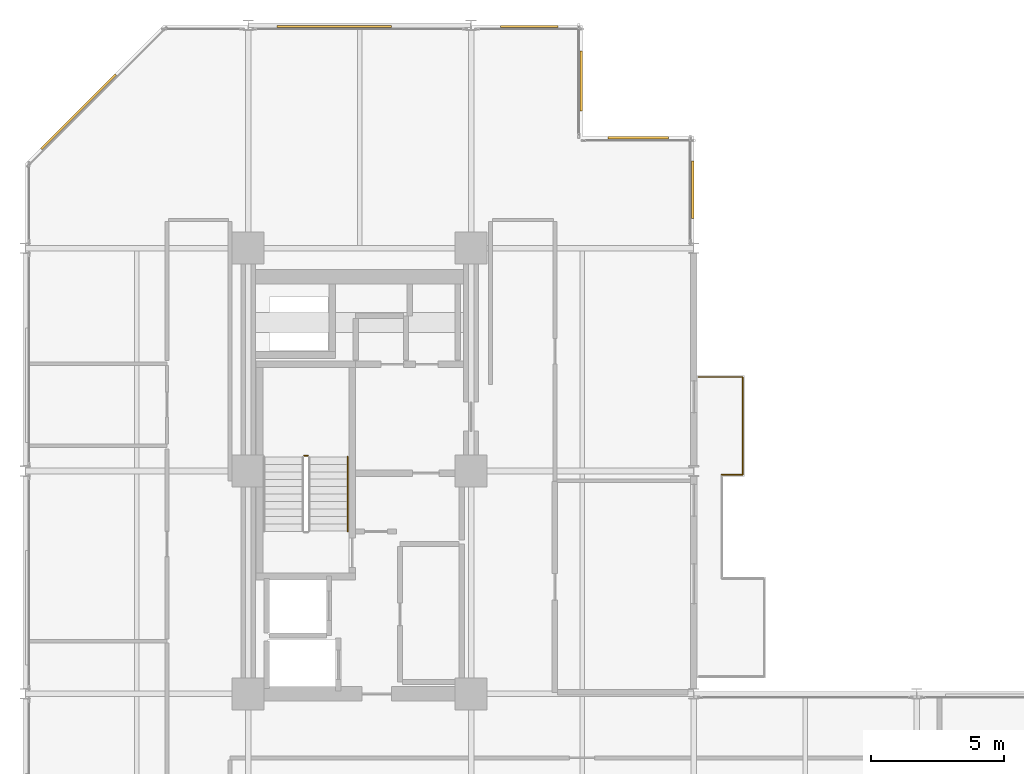
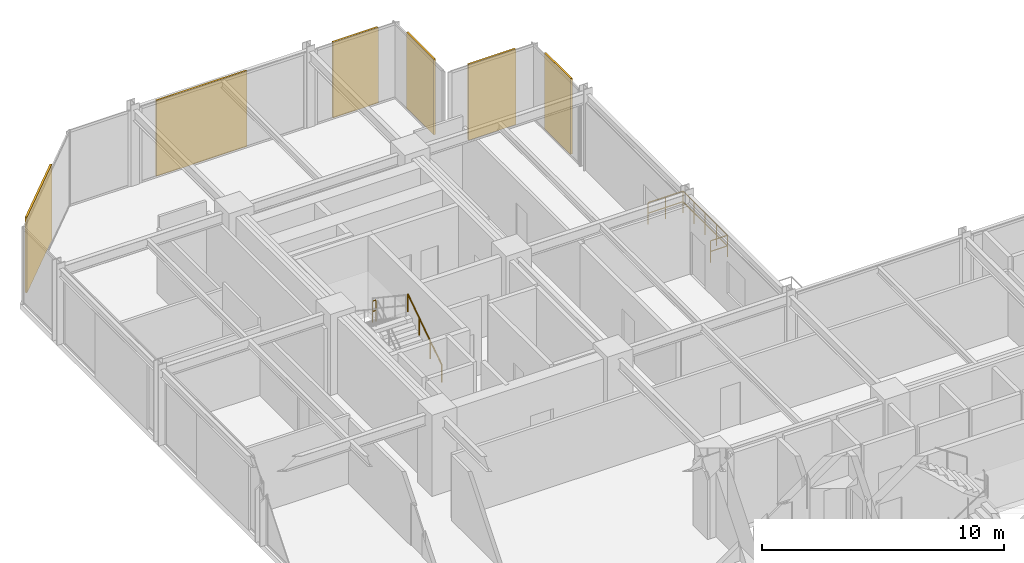
# One storey, part 29 of 29: 6 coverings, 5 railings.
"""IFC4 building model written with IfcOpenShell, lengths in metres."""

from ifc_helpers import new_model, si_unit, direction, frame, origin, origin_2d, place, context, subcontext, project, spatial, rectangle, circle, extrude, material, layer, layer_set, type_object, element, save


model = new_model("IFC4")

# Units and contexts
model_context = context("Model", 3, precision=1e-05, world=origin(), true_north=direction((0.0, 1.0)))
body_context = subcontext(model_context, "Body", "Model", "MODEL_VIEW")
ifc_project = project(units=[si_unit("LENGTHUNIT", "METRE"), si_unit("AREAUNIT", "SQUARE_METRE"), si_unit("VOLUMEUNIT", "CUBIC_METRE"), si_unit("PLANEANGLEUNIT", "RADIAN"), si_unit("MASSUNIT", "GRAM", prefix="KILO")], contexts=[model_context])

# Site, building, storey
site_placement = place(None, origin())
site = spatial("IfcSite", under=ifc_project, at=site_placement, CompositionType="ELEMENT")
building_placement = place(site_placement, origin())
building = spatial("IfcBuilding", under=site, at=building_placement, Name="Nerrivon Quay Data Exchange", CompositionType="ELEMENT")
storey_placement = place(building_placement, frame((0.0, 0.0, 137.699951171875)))
storey = spatial("IfcBuildingStorey", under=building, at=storey_placement, Name="L32", CompositionType="ELEMENT", Elevation=137.699951171875)

# Coverings
ifc_material_1 = material(Name="Architectural terracotta ceramic", Category="masonry")
ifc_layer = layer(ifc_material_1, 0.090087890625)
ifc_layer_set = layer_set([ifc_layer], Name="Architectural terracotta ceramic")
covering_type = type_object("IfcCoveringType", Name="COV-SCR-TERR", PredefinedType="CLADDING", material=ifc_layer_set)
covering_1_placement = place(storey_placement, frame((2.0078125, 47.144287109375, 0.0), z_axis=(0.0, 0.0, 1.0), x_axis=(0.707106781187, 0.707106781187, 0.0)))
element("IfcCovering", 1, at=covering_1_placement, inside=storey, type_object=covering_type, Name="L32 Perforated Terracotta SOLAR SCREEN Cassette", PredefinedType="CLADDING", context=body_context, shape_type="SweptSolid", body=[
    extrude(rectangle(XDim=3.970947265625, YDim=0.090087890625, at=origin_2d()), origin(), (0.0, 0.0, 1.0), 3.824951171875),
])
covering_2_placement = place(storey_placement, frame((11.639892578125, 50.35498046875, 0.0), z_axis=(0.0, 0.0, 1.0), x_axis=(1.0, 0.0, 0.0)))
element("IfcCovering", 2, at=covering_2_placement, inside=storey, type_object=covering_type, Name="L32 Perforated Terracotta SOLAR SCREEN Cassette", PredefinedType="CLADDING", context=body_context, shape_type="SweptSolid", body=[
    extrude(rectangle(XDim=4.320068359375, YDim=0.090087890625, at=origin_2d()), origin(), (0.0, 0.0, 1.0), 3.824951171875),
])
covering_3_placement = place(storey_placement, frame((19.0, 50.35498046875, 0.0), z_axis=(0.0, 0.0, 1.0), x_axis=(1.0, 0.0, 0.0)))
element("IfcCovering", 3, at=covering_3_placement, inside=storey, type_object=covering_type, Name="L32 Perforated Terracotta SOLAR SCREEN Cassette", PredefinedType="CLADDING", context=body_context, shape_type="SweptSolid", body=[
    extrude(rectangle(XDim=2.159912109375, YDim=0.090087890625, at=origin_2d()), origin(), (0.0, 0.0, 1.0), 3.824951171875),
])
for number, where, z_axis, x_axis, name in (
    (4, (20.955078125, 48.300048828125, 0.0), (0.0, 0.0, 1.0), (0.0, -1.0, 0.0), "L32 Perforated Terracotta SOLAR SCREEN Cassette"),
    (5, (23.10009765625, 46.155029296875, 0.0), (0.0, 0.0, 1.0), (1.0, 0.0, 0.0), "L32 Perforated Terracotta SOLAR SCREEN Cassette"),
):
    element("IfcCovering", number, at=place(storey_placement, frame(where, z_axis=z_axis, x_axis=x_axis)), inside=storey, type_object=covering_type, Name=name, PredefinedType="CLADDING", context=body_context, shape_type="SweptSolid", body=[
        extrude(rectangle(XDim=2.26806640625, YDim=0.090087890625, at=origin_2d()), origin(), (0.0, 0.0, 1.0), 3.824951171875),
    ])
covering_4_placement = place(storey_placement, frame((25.155029296875, 44.199951171875, 0.0), z_axis=(0.0, 0.0, 1.0), x_axis=(0.0, -1.0, 0.0)))
element("IfcCovering", 6, at=covering_4_placement, inside=storey, type_object=covering_type, Name="L32 Perforated Terracotta SOLAR SCREEN Cassette", PredefinedType="CLADDING", context=body_context, shape_type="SweptSolid", body=[
    extrude(rectangle(XDim=2.159912109375, YDim=0.090087890625, at=origin_2d()), origin(), (0.0, 0.0, 1.0), 3.824951171875),
])

# Railings
ifc_material_2 = material(Name="Steel Grade C350L0 (350 MPa)", Category="steel")
railing_type_1 = type_object("IfcRailingType", Name="RAIL-GUARD-GR2", PredefinedType="BALUSTRADE", material=ifc_material_2)
railing_1_placement = place(storey_placement, frame((25.3798828125, 37.139892578125, 0.0)))
element("IfcRailing", 7, at=railing_1_placement, inside=storey, type_object=railing_type_1, Name="L32 Verandah Balcony Guard 1.4 1", PredefinedType="BALUSTRADE", context=body_context, shape_type="SweptSolid", body=[
    extrude(circle(Radius=0.02392578125, at=origin_2d()), frame((0.0, 0.0, 1.09619140625), z_axis=(1.0, 0.0, 0.0), x_axis=(0.0, 1.0, 0.0)), (0.0, 0.0, 1.0), 1.66015625),
    extrude(circle(Radius=0.02392578125, at=origin_2d()), frame((0.0, 0.0, 0.56005859375), z_axis=(1.0, 0.0, 0.0), x_axis=(0.0, 1.0, 0.0)), (0.0, 0.0, 1.0), 1.66015625),
    extrude(circle(Radius=0.02099609375, at=origin_2d()), origin(), (0.0, 0.0, 1.0), 1.072021484375),
    extrude(circle(Radius=0.02099609375, at=origin_2d()), frame((0.830078125, 0.0, 0.0)), (0.0, 0.0, 1.0), 1.072021484375),
    extrude(circle(Radius=0.02099609375, at=origin_2d()), frame((1.66015625, 0.0, 0.0)), (0.0, 0.0, 1.0), 1.072021484375),
])
railing_2_placement = place(storey_placement, frame((27.0400390625, 37.139892578125, 0.0)))
element("IfcRailing", 8, at=railing_2_placement, inside=storey, type_object=railing_type_1, Name="L32 Verandah Balcony Guard 1.5 1", PredefinedType="BALUSTRADE", context=body_context, shape_type="SweptSolid", body=[
    extrude(circle(Radius=0.02392578125, at=origin_2d()), frame((0.0, 0.0, 1.09619140625), z_axis=(0.0, -1.0, 0.0), x_axis=(1.0, 0.0, 0.0)), (0.0, 0.0, 1.0), 3.679931640625),
    extrude(circle(Radius=0.02392578125, at=origin_2d()), frame((0.0, 0.0, 0.56005859375), z_axis=(0.0, -1.0, 0.0), x_axis=(1.0, 0.0, 0.0)), (0.0, 0.0, 1.0), 3.679931640625),
    extrude(circle(Radius=0.02099609375, at=origin_2d()), origin(), (0.0, 0.0, 1.0), 1.072021484375),
    extrude(circle(Radius=0.02099609375, at=origin_2d()), frame((0.0, -0.919921875, 0.0)), (0.0, 0.0, 1.0), 1.072021484375),
    extrude(circle(Radius=0.02099609375, at=origin_2d()), frame((0.0, -1.83984375, 0.0)), (0.0, 0.0, 1.0), 1.072021484375),
    extrude(circle(Radius=0.02099609375, at=origin_2d()), frame((0.0, -2.760009765625, 0.0)), (0.0, 0.0, 1.0), 1.072021484375),
    extrude(circle(Radius=0.02099609375, at=origin_2d()), frame((0.0, -3.679931640625, 0.0)), (0.0, 0.0, 1.0), 1.072021484375),
])
railing_3_placement = place(storey_placement, frame((27.0400390625, 33.4599609375, 0.0)))
element("IfcRailing", 9, at=railing_3_placement, inside=storey, type_object=railing_type_1, Name="L32 Verandah Balcony Guard 1.6 1", PredefinedType="BALUSTRADE", context=body_context, shape_type="SweptSolid", body=[
    extrude(circle(Radius=0.02392578125, at=origin_2d()), frame((0.0, 0.0, 1.09619140625), z_axis=(-1.0, 0.0, 0.0), x_axis=(0.0, -1.0, 0.0)), (0.0, 0.0, 1.0), 0.800048828125),
    extrude(circle(Radius=0.02392578125, at=origin_2d()), frame((0.0, 0.0, 0.56005859375), z_axis=(-1.0, 0.0, 0.0), x_axis=(0.0, -1.0, 0.0)), (0.0, 0.0, 1.0), 0.800048828125),
    extrude(circle(Radius=0.02099609375, at=origin_2d()), origin(), (0.0, 0.0, 1.0), 1.072021484375),
    extrude(circle(Radius=0.02099609375, at=origin_2d()), frame((-0.800048828125, 0.0, 0.0)), (0.0, 0.0, 1.0), 1.072021484375),
])
railing_type_2 = type_object("IfcRailingType", Name="RAIL-HAND-HR1", PredefinedType="HANDRAIL", material=ifc_material_2)
railing_4_placement = place(storey_placement, frame((12.14990234375, 31.330078125, 0.1865234375)))
element("IfcRailing", 10, at=railing_4_placement, inside=storey, type_object=railing_type_2, Name="L32 ST01 stair handrail 1", PredefinedType="HANDRAIL", context=body_context, shape_type="SweptSolid", body=[
    extrude(circle(Radius=0.02392578125, at=origin_2d()), frame((0.0, 0.0, 0.8759765625), z_axis=(0.0, 0.832463268671, 0.554080234545), x_axis=(-1.0, 0.0, 0.0)), (0.0, 0.0, 1.0), 3.36328125),
    extrude(circle(Radius=0.02099609375, at=origin_2d()), origin(), (0.0, 0.0, 1.0), 0.851806640625),
    extrude(circle(Radius=0.02099609375, at=origin_2d()), frame((0.0, 0.933349609375, 0.62109375)), (0.0, 0.0, 1.0), 0.851806640625),
    extrude(circle(Radius=0.02099609375, at=origin_2d()), frame((0.0, 1.866455078125, 1.242431640625)), (0.0, 0.0, 1.0), 0.851806640625),
    extrude(circle(Radius=0.02099609375, at=origin_2d()), frame((0.0, 2.7998046875, 1.863525390625)), (0.0, 0.0, 1.0), 0.851806640625),
])
railing_type_3 = type_object("IfcRailingType", Name="RAIL-STAIR-GR1", PredefinedType="BALUSTRADE", material=ifc_material_2)
railing_5_placement = place(storey_placement, frame((10.64990234375, 34.179931640625, 2.050048828125)))
element("IfcRailing", 11, at=railing_5_placement, inside=storey, type_object=railing_type_3, Name="L32 ST01 stair guard 2", PredefinedType="BALUSTRADE", context=body_context, shape_type="SweptSolid", body=[
    extrude(circle(Radius=0.02392578125, at=origin_2d()), frame((0.0, 0.0, 1.076171875), z_axis=(-1.0, 0.0, 0.0), x_axis=(0.0, -1.0, 0.0)), (0.0, 0.0, 1.0), 0.14990234375),
    extrude(circle(Radius=0.02392578125, at=origin_2d()), frame((0.0, 0.0, 0.550048828125), z_axis=(-1.0, 0.0, 0.0), x_axis=(0.0, -1.0, 0.0)), (0.0, 0.0, 1.0), 0.14990234375),
    extrude(circle(Radius=0.02099609375, at=origin_2d()), origin(), (0.0, 0.0, 1.0), 1.052001953125),
    extrude(circle(Radius=0.02099609375, at=origin_2d()), frame((-0.14990234375, 0.0, 0.0)), (0.0, 0.0, 1.0), 1.052001953125),
])

save(model, "model.ifc")
